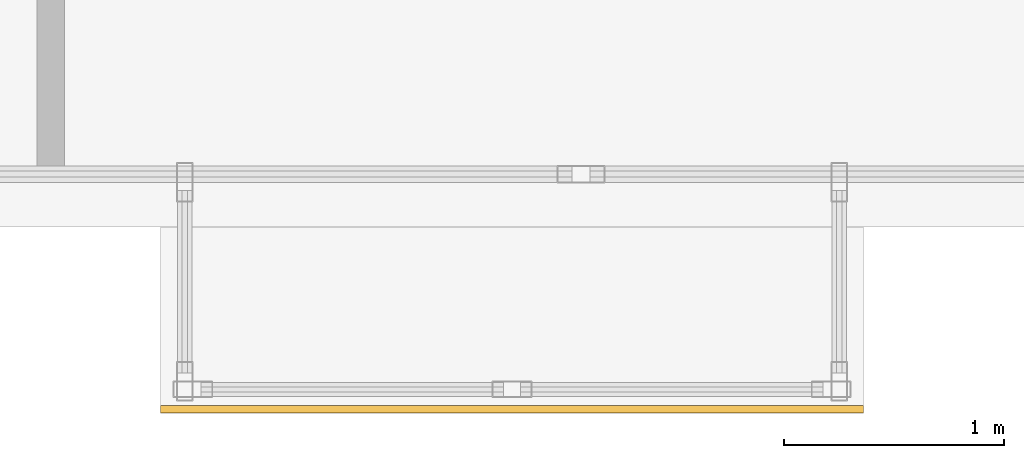
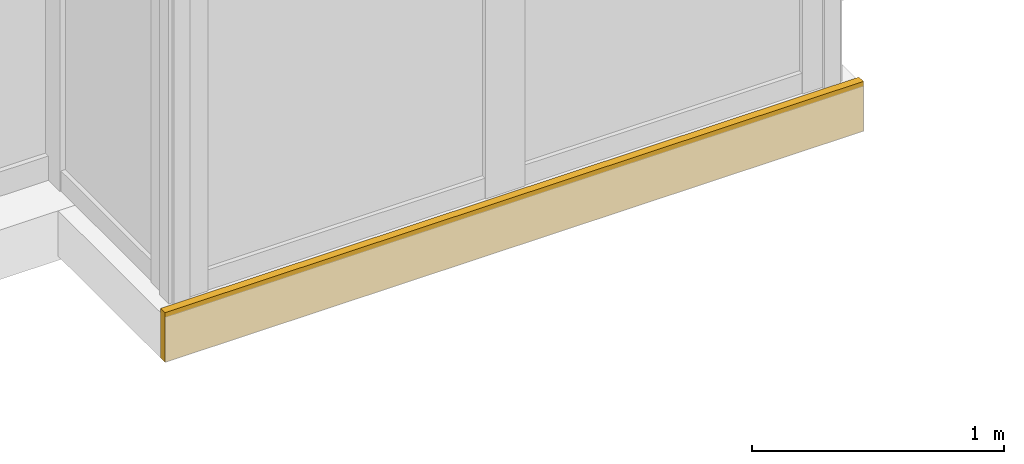
# One storey, part 25 of 26: 1 covering.
"""IFC4 building model written with IfcOpenShell, lengths in metres."""

import ifcopenshell
import ifcopenshell.guid

model = None  # the IFC model being written
_history = None  # IfcOwnerHistory: only IFC2X3 demands one
_inside = {}  # id of a spatial element -> (the spatial element, [elements in it])
_under = {}  # id of a project, library or spatial element -> (it, [spatial elements below it])
_declared = {}  # id of a project -> (the project, [libraries it declares])
_typed = {}  # id of a type object -> (the type object, [elements of that type])
_made_of = {}  # id of a material, layer set ... -> (it, [elements and type objects made of it])


def new_model(schema):
    """Start an empty IFC model of exactly this schema.

    Asked for "IFC4X3", IfcOpenShell would pick the latest addendum, in which some entities
    have other attributes; the version numbers below select the first issue.
    IFC2X3 requires an IfcOwnerHistory on every rooted entity: one is made here for all.
    """
    global model, _history
    if schema == "IFC4X3":
        model = ifcopenshell.file(schema_version=(4, 3, 0, 0))
    else:
        model = ifcopenshell.file(schema=schema)
    _inside.clear()
    _under.clear()
    _declared.clear()
    _typed.clear()
    _made_of.clear()
    _history = None
    if model.schema == "IFC2X3":
        org = make("IfcOrganization", Name="unknown")
        user = make(
            "IfcPersonAndOrganization",
            ThePerson=make("IfcPerson", FamilyName="unknown"),
            TheOrganization=org,
        )
        app = make(
            "IfcApplication",
            ApplicationDeveloper=org,
            Version="unknown",
            ApplicationFullName="unknown",
            ApplicationIdentifier="unknown",
        )
        _history = make(
            "IfcOwnerHistory",
            OwningUser=user,
            OwningApplication=app,
            ChangeAction="ADDED",
            CreationDate=0,
        )
    return model


def make(cls, **values):
    """One entity of the class cls with the attributes given. An attribute that is None is left unset."""
    return model.create_entity(
        cls, **{name: value for name, value in values.items() if value is not None}
    )


def rooted(cls, **values):
    """An entity with a GlobalId (a new one), such as an element, a storey or a relation."""
    return make(cls, GlobalId=ifcopenshell.guid.new(), OwnerHistory=_history, **values)


def si_unit(unit_type, name, prefix=None):
    """IfcSIUnit, for example si_unit("LENGTHUNIT", "METRE", prefix="MILLI")."""
    return make("IfcSIUnit", UnitType=unit_type, Prefix=prefix, Name=name)


def assignment(units):
    """IfcUnitAssignment: the units of a project."""
    return None if units is None else make("IfcUnitAssignment", Units=units)


def point(xyz):
    """IfcCartesianPoint."""
    return None if xyz is None else make("IfcCartesianPoint", Coordinates=xyz)


def direction(xyz):
    """IfcDirection."""
    return None if xyz is None else make("IfcDirection", DirectionRatios=xyz)


def frame(location, z_axis=None, x_axis=None):
    """IfcAxis2Placement3D, a coordinate frame: its origin and axes. An axis left out is left unset."""
    return make(
        "IfcAxis2Placement3D",
        Location=point(location),
        Axis=direction(z_axis),
        RefDirection=direction(x_axis),
    )


def frame_2d(location, x_axis=None):
    """IfcAxis2Placement2D, a coordinate frame in the plane: its origin and x axis."""
    return make(
        "IfcAxis2Placement2D", Location=point(location), RefDirection=direction(x_axis)
    )


def origin():
    """The frame at (0, 0, 0) with its axes left unset."""
    return frame((0.0, 0.0, 0.0))


def origin_2d():
    """The frame at (0, 0) in the plane with its x axis left unset."""
    return frame_2d((0.0, 0.0))


def place(relative_to, where):
    """IfcLocalPlacement: puts the frame where relative to a parent placement (None: the world)."""
    return make(
        "IfcLocalPlacement", PlacementRelTo=relative_to, RelativePlacement=where
    )


def context(
    kind, dimensions, precision=None, world=None, true_north=None, identifier=None
):
    """IfcGeometricRepresentationContext, for example the 3D "Model" context."""
    return make(
        "IfcGeometricRepresentationContext",
        ContextIdentifier=identifier,
        ContextType=kind,
        CoordinateSpaceDimension=dimensions,
        Precision=precision,
        WorldCoordinateSystem=world,
        TrueNorth=true_north,
    )


def subcontext(parent, identifier, kind, view, scale=None):
    """IfcGeometricRepresentationSubContext, for example "Body" below "Model"."""
    return make(
        "IfcGeometricRepresentationSubContext",
        ContextIdentifier=identifier,
        ContextType=kind,
        ParentContext=parent,
        TargetScale=scale,
        TargetView=view,
    )


def project(units=None, contexts=None):
    """IfcProject with its units and contexts."""
    return rooted(
        "IfcProject",
        Name="project",
        RepresentationContexts=contexts,
        UnitsInContext=assignment(units),
    )


def spatial(cls, under=None, at=None, **own):
    """A site, building, storey or space (cls), placed at a placement, below another one or the project."""
    s = rooted(cls, ObjectPlacement=at, **own)
    if under is not None:
        _under.setdefault(under.id(), (under, []))[1].append(s)
    return s


def profile(cls, at=None, kind="AREA", **sizes):
    """A parametric profile (cls). Its sizes go by their IFC names, for example OverallWidth=200.0."""
    return make(cls, ProfileType=kind, Position=at, **sizes)


def rectangle(**sizes):
    """IfcRectangleProfileDef."""
    return profile("IfcRectangleProfileDef", **sizes)


def extrude(swept, where, along, depth):
    """IfcExtrudedAreaSolid: the profile swept, set in the frame where, extruded along a direction by depth."""
    return make(
        "IfcExtrudedAreaSolid",
        SweptArea=swept,
        Position=where,
        ExtrudedDirection=direction(along),
        Depth=depth,
    )


def shape(context_of_items, identifier, shape_type, items):
    """IfcShapeRepresentation: the items that make up one representation, for example the "Body"."""
    return make(
        "IfcShapeRepresentation",
        ContextOfItems=context_of_items,
        RepresentationIdentifier=identifier,
        RepresentationType=shape_type,
        Items=items,
    )


def material(Name=None, Category=None):
    """IfcMaterial."""
    return make("IfcMaterial", Name=Name, Category=Category)


def layer(
    of_material, thickness, ventilated=None, Name=None, Category=None, Priority=None
):
    """IfcMaterialLayer: one layer of a wall or slab, of a material (None: an air gap)."""
    return make(
        "IfcMaterialLayer",
        Material=of_material,
        LayerThickness=thickness,
        IsVentilated=ventilated,
        Name=Name,
        Category=Category,
        Priority=Priority,
    )


def layer_set(layers, Name=None):
    """IfcMaterialLayerSet."""
    return make("IfcMaterialLayerSet", MaterialLayers=layers, LayerSetName=Name)


def made_of(thing, what):
    """Note that an element or type object is made of a material, layer set ...; save() writes the relation."""
    if what is not None:
        _made_of.setdefault(what.id(), (what, []))[1].append(thing)
    return thing


def type_object(cls, material=None, **own):
    """A type object (cls), such as IfcWallType, which elements share."""
    return made_of(rooted(cls, **own), material)


def element(
    cls,
    number,
    at=None,
    inside=None,
    cuts=None,
    type_object=None,
    material=None,
    context=None,
    identifier="Body",
    shape_type=None,
    held_by="IfcProductDefinitionShape",
    body=None,
    shapes=None,
    **own,
):
    """One element of the class cls, such as IfcWall. Its Tag is "e" and its number.

    at: its placement. inside: the storey or other place that contains it. cuts: it is an
    opening in that element (IfcRelVoidsElement). A single representation is given by context,
    identifier, shape_type and body (its items); several are given by shapes. held_by: the class
    of the entity that holds the representations. save() writes the other relations.
    """
    e = rooted(cls, Tag="e%d" % number, ObjectPlacement=at, **own)
    if body is not None:
        shapes = [shape(context, identifier, shape_type, body)]
    if shapes is not None:
        e.Representation = make(held_by, Representations=shapes)
    if inside is not None:
        _inside.setdefault(inside.id(), (inside, []))[1].append(e)
    if cuts is not None:
        rooted(
            "IfcRelVoidsElement", RelatingBuildingElement=cuts, RelatedOpeningElement=e
        )
    if type_object is not None:
        _typed.setdefault(type_object.id(), (type_object, []))[1].append(e)
    return made_of(e, material)


def aggregate(whole, parts):
    """IfcRelAggregates: a whole, such as a stair, and the parts it consists of."""
    return rooted("IfcRelAggregates", RelatingObject=whole, RelatedObjects=parts)


def save(model, path):
    """Write the relations noted so far, then the file.

    IfcRelAggregates (storeys below a building ...), IfcRelContainedInSpatialStructure (elements
    in a storey), IfcRelDefinesByType, IfcRelAssociatesMaterial and IfcRelDeclares: one each for
    every whole, place, type object, material and project.
    """
    for whole, parts in _under.values():
        aggregate(whole, parts)
    for where, things in _inside.values():
        rooted(
            "IfcRelContainedInSpatialStructure",
            RelatedElements=things,
            RelatingStructure=where,
        )
    for kind, things in _typed.values():
        rooted("IfcRelDefinesByType", RelatedObjects=things, RelatingType=kind)
    for what, things in _made_of.values():
        rooted("IfcRelAssociatesMaterial", RelatedObjects=things, RelatingMaterial=what)
    for by, libraries in _declared.values():
        rooted("IfcRelDeclares", RelatingContext=by, RelatedDefinitions=libraries)
    model.write(path)


model = new_model("IFC4")

# Units and contexts
model_context = context("Model", 3, precision=1e-05, world=origin(), true_north=direction((0.0, 1.0)))
body_context = subcontext(model_context, "Body", "Model", "MODEL_VIEW")
ifc_project = project(units=[si_unit("LENGTHUNIT", "METRE"), si_unit("AREAUNIT", "SQUARE_METRE"), si_unit("VOLUMEUNIT", "CUBIC_METRE"), si_unit("PLANEANGLEUNIT", "RADIAN"), si_unit("MASSUNIT", "GRAM", prefix="KILO")], contexts=[model_context])

# Site, building, storey
site_placement = place(None, origin())
site = spatial("IfcSite", under=ifc_project, at=site_placement, CompositionType="ELEMENT")
building_placement = place(site_placement, origin())
building = spatial("IfcBuilding", under=site, at=building_placement, Name="Kolvaren Waterfront Exchange", CompositionType="ELEMENT")
storey_placement = place(building_placement, frame((0.0, 0.0, 180.39990234375)))
storey = spatial("IfcBuildingStorey", under=building, at=storey_placement, Name="L46", CompositionType="ELEMENT", Elevation=180.39990234375)

# Covering
ifc_material = material(Name="Anodised bronze fascia aluminium", Category="aluminium")
ifc_layer = layer(ifc_material, 0.034912109375, Name="Anodised bronze fascia aluminium")
ifc_layer_set = layer_set([ifc_layer], Name="Anodised bronze fascia aluminium")
covering_type = type_object("IfcCoveringType", Name="ARC-CLAD-BRONZE-35", PredefinedType="CLADDING", material=ifc_layer_set)
covering_placement = place(storey_placement, frame((40.5, 2.77001953125, -0.2197265625), z_axis=(0.0, 0.0, 1.0), x_axis=(1.0, 0.0, 0.0)))
element("IfcCovering", 1, at=covering_placement, inside=storey, type_object=covering_type, Name="L46 ribbed anodised bronze bay-box fascia", PredefinedType="CLADDING", context=body_context, shape_type="SweptSolid", body=[
    extrude(rectangle(XDim=3.199951171875, YDim=0.034912109375, at=origin_2d()), origin(), (0.0, 0.0, 1.0), 0.239990234375),
])

save(model, "model.ifc")
